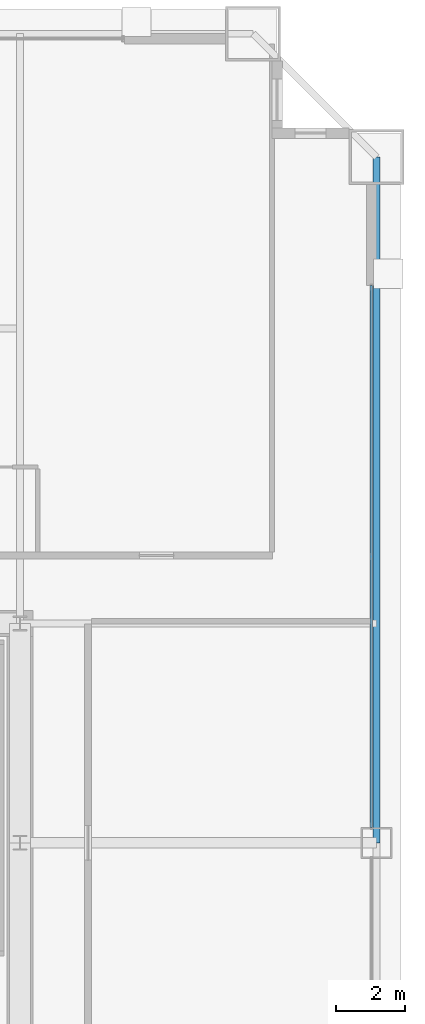
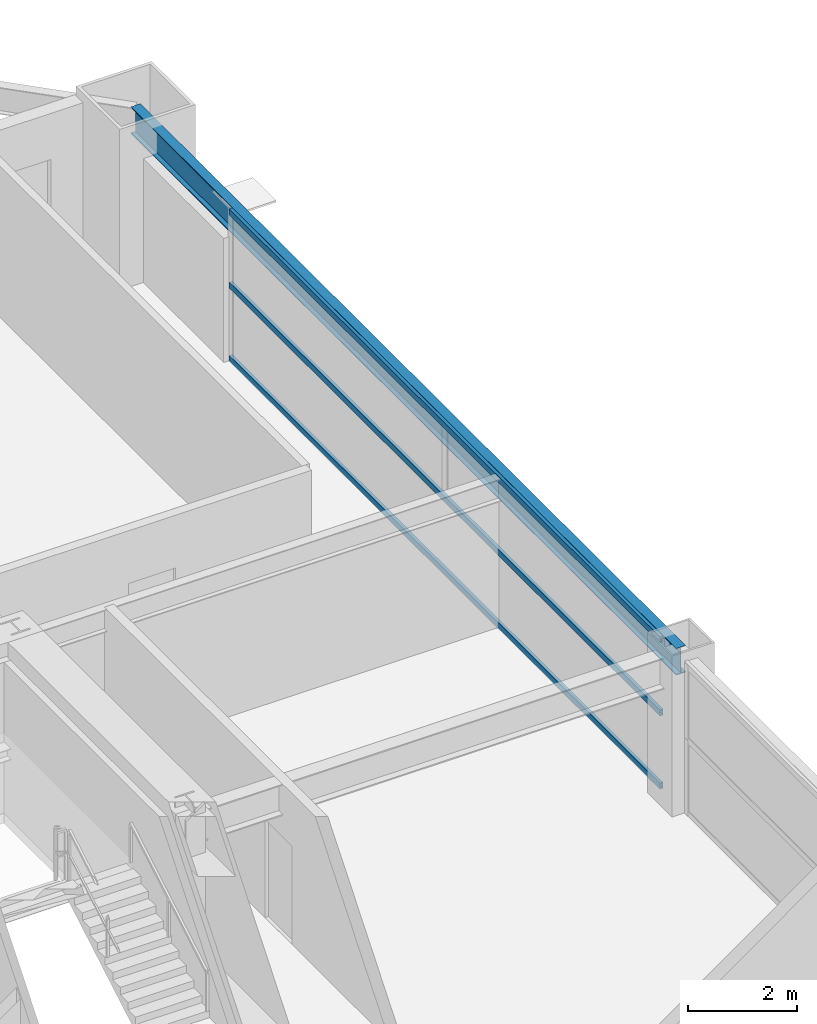
# One storey, part 29 of 37: 3 members, 1 beam, 1 element without a shape of its own.
"""IFC4 building model written with IfcOpenShell, lengths in metres."""

from ifc_helpers import new_model, si_unit, direction, frame, origin, origin_2d, place, context, subcontext, project, spatial, hollow_rectangle, i_section, extrude, source, transform, mapped, material, layer, layer_set, material_profile, profile_set, type_object, element, aggregate, save


model = new_model("IFC4")

# Units and contexts
model_context = context("Model", 3, precision=1e-05, world=origin(), true_north=direction((0.0, 1.0)))
body_context = subcontext(model_context, "Body", "Model", "MODEL_VIEW")
ifc_project = project(units=[si_unit("LENGTHUNIT", "METRE"), si_unit("AREAUNIT", "SQUARE_METRE"), si_unit("VOLUMEUNIT", "CUBIC_METRE"), si_unit("PLANEANGLEUNIT", "RADIAN"), si_unit("MASSUNIT", "GRAM", prefix="KILO"), si_unit("THERMODYNAMICTEMPERATUREUNIT", "KELVIN"), si_unit("POWERUNIT", "WATT")], contexts=[model_context])

# Site, building, storey
site_placement = place(None, origin())
site = spatial("IfcSite", under=ifc_project, at=site_placement, CompositionType="ELEMENT")
building_placement = place(site_placement, origin())
building = spatial("IfcBuilding", under=site, at=building_placement, Name="Yuzanri Waterfront Tower", CompositionType="ELEMENT")
storey_placement = place(building_placement, frame((0.0, 0.0, 104.60009765625)))
storey = spatial("IfcBuildingStorey", under=building, at=storey_placement, Name="L27", CompositionType="ELEMENT", Elevation=104.60009765625)

# Beam
ifc_material_1 = material(Name="Steel Q355B", Category="steel")
ifc_material_profile_1 = material_profile(ifc_material_1, i_section(OverallWidth=0.199951171875, OverallDepth=0.60009765625, WebThickness=0.010986328125, FlangeThickness=0.01708984375, at=origin_2d()), Name="HN 600x200x11x17")
ifc_profile_set_1 = profile_set([ifc_material_profile_1], Name="Steel Q355B")
beam_type = type_object("IfcBeamType", Name="Perimeter Spandrel Q355B HN 600x200", PredefinedType="SPANDREL", material=ifc_profile_set_1)
shared_shape_1 = source(origin(), body_context, "Body", "SweptSolid", [
    extrude(i_section(OverallWidth=0.199951171875, OverallDepth=0.60009765625, WebThickness=0.010986328125, FlangeThickness=0.01708984375, at=origin_2d()), origin(), (0.0, 0.0, 1.0), 20.0),
])
beam_placement = place(storey_placement, frame((60.60009765625, 25.800048828125, 3.079833984375), z_axis=(0.0, 1.0, 0.0), x_axis=(-1.0, 0.0, 0.0)))
element("IfcBeam", 1, at=beam_placement, inside=storey, type_object=beam_type, Name="L27 Perimeter Spandrel E2-E3", PredefinedType="SPANDREL", context=body_context, shape_type="MappedRepresentation", body=[
    mapped(shared_shape_1, transform((0.0, 0.0, 0.0), scale=1.0)),
])

# Curtain wall, members
ifc_material_2 = material(Name="Anodized Architectural Bronze", Category="metal")
ifc_layer = layer(ifc_material_2, 0.159912109375)
ifc_layer_set = layer_set([ifc_layer], Name="Anodized Architectural Bronze")
curtain_wall_type = type_object("IfcCurtainWallType", Name="Anodized Bronze Hotel Upper-Tier Solar-Control Unitized Curtain Wall 7800", PredefinedType="NOTDEFINED", material=ifc_layer_set)
curtain_wall_placement = place(storey_placement, origin())
curtain_wall = element("IfcCurtainWall", 2, at=curtain_wall_placement, inside=storey, type_object=curtain_wall_type, Name="L27 Curtain Wall CW-L27-ER", PredefinedType="NOTDEFINED")
ifc_material_3 = material(Name="Anodized Architectural Bronze", Category="metal")
ifc_material_profile_2 = material_profile(ifc_material_3, hollow_rectangle(XDim=0.070068359375, YDim=0.135009765625, WallThickness=0.00341796875, at=origin_2d()), Name="CWT 70x135")
ifc_profile_set_2 = profile_set([ifc_material_profile_2], Name="Anodized Architectural Bronze")
member_type = type_object("IfcMemberType", Name="Anodized Bronze Standard Curtain-Wall Transom 70x135", PredefinedType="USERDEFINED", material=ifc_profile_set_2)
shared_shape_2 = source(origin(), body_context, "Body", "SweptSolid", [
    extrude(hollow_rectangle(XDim=0.070068359375, YDim=0.135009765625, WallThickness=0.00341796875, at=origin_2d()), origin(), (0.0, 0.0, 1.0), 15.800048828125),
])
member_1_placement = place(storey_placement, frame((60.449951171875, 26.25, 0.0498046875), z_axis=(0.0, 1.0, 0.0), x_axis=(-1.0, 0.0, 0.0)))
member_1 = element("IfcMember", 3, at=member_1_placement, type_object=member_type, Name="CW-L27-ER Transom 1", ObjectType="TRANSOM", PredefinedType="USERDEFINED", context=body_context, shape_type="MappedRepresentation", body=[
    mapped(shared_shape_2, transform((0.0, 0.0, 0.0), scale=1.0)),
])
member_2_placement = place(storey_placement, frame((60.449951171875, 26.25, 1.68994140625), z_axis=(0.0, 1.0, 0.0), x_axis=(-1.0, 0.0, 0.0)))
member_2 = element("IfcMember", 4, at=member_2_placement, type_object=member_type, Name="CW-L27-ER Transom 2", ObjectType="TRANSOM", PredefinedType="USERDEFINED", context=body_context, shape_type="MappedRepresentation", body=[
    mapped(shared_shape_2, transform((0.0, 0.0, 0.0), scale=1.0)),
])
member_3_placement = place(storey_placement, frame((60.449951171875, 26.25, 3.329833984375), z_axis=(0.0, 1.0, 0.0), x_axis=(-1.0, 0.0, 0.0)))
member_3 = element("IfcMember", 5, at=member_3_placement, type_object=member_type, Name="CW-L27-ER Transom 3", ObjectType="TRANSOM", PredefinedType="USERDEFINED", context=body_context, shape_type="MappedRepresentation", body=[
    mapped(shared_shape_2, transform((0.0, 0.0, 0.0), scale=1.0)),
])
aggregate(curtain_wall, [member_1, member_2, member_3])

save(model, "model.ifc")
